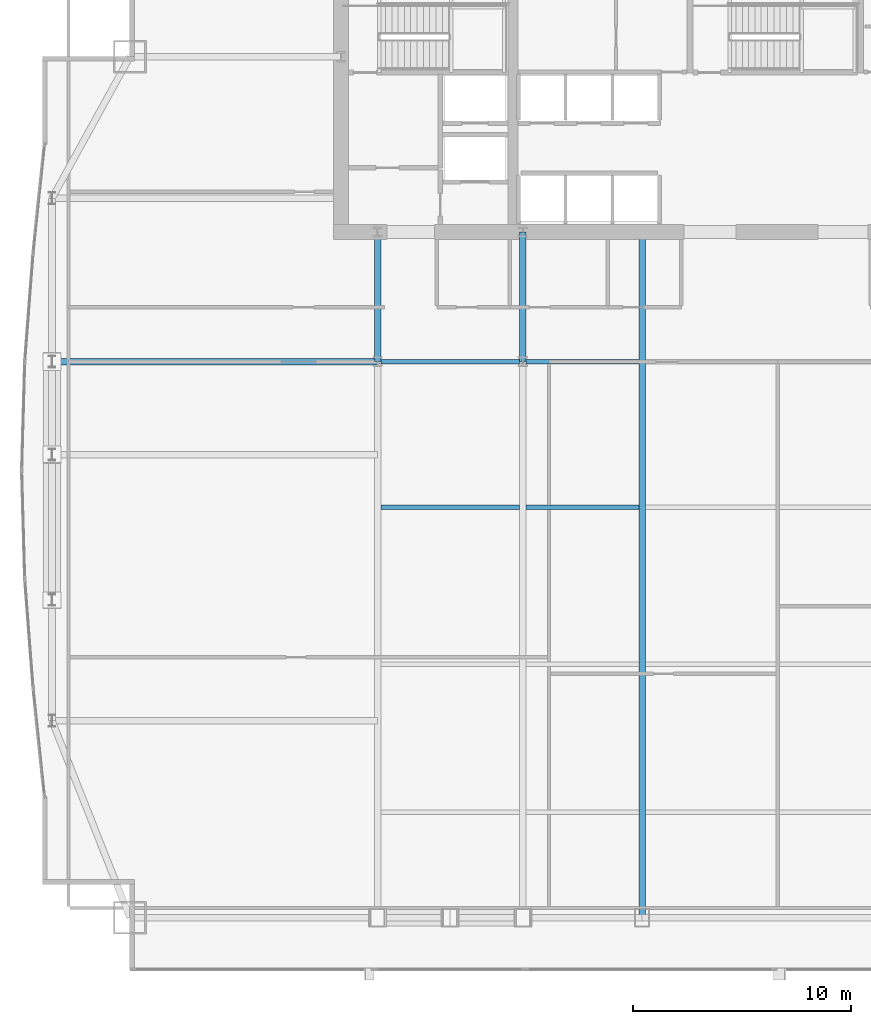
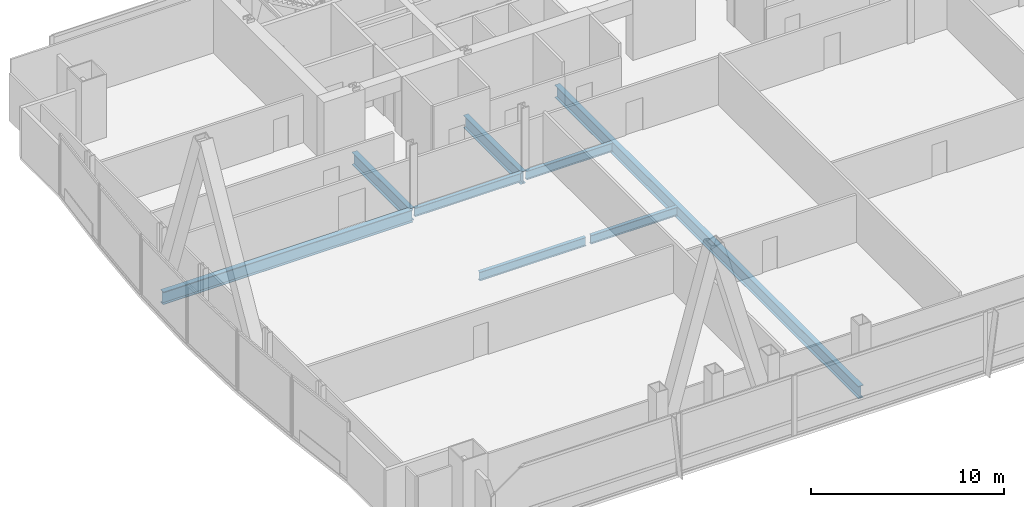
# One storey, part 13 of 32: 8 beams.
"""IFC4 building model written with IfcOpenShell, lengths in metres."""

from ifc_helpers import new_model, si_unit, direction, frame, origin, origin_2d, place, context, subcontext, project, spatial, i_section, extrude, material, material_profile, profile_set, type_object, element, save


model = new_model("IFC4")

# Units and contexts
model_context = context("Model", 3, precision=1e-05, world=origin(), true_north=direction((0.0, 1.0)))
body_context = subcontext(model_context, "Body", "Model", "MODEL_VIEW")
ifc_project = project(units=[si_unit("LENGTHUNIT", "METRE"), si_unit("AREAUNIT", "SQUARE_METRE"), si_unit("VOLUMEUNIT", "CUBIC_METRE"), si_unit("PLANEANGLEUNIT", "RADIAN"), si_unit("MASSUNIT", "GRAM", prefix="KILO")], contexts=[model_context])

# Site, building, storey
site_placement = place(None, origin())
site = spatial("IfcSite", under=ifc_project, at=site_placement, CompositionType="ELEMENT")
building_placement = place(site_placement, origin())
building = spatial("IfcBuilding", under=site, at=building_placement, Name="Khoronbel Lancet Exchange", CompositionType="ELEMENT")
storey_placement = place(building_placement, frame((0.0, 0.0, 94.60009765625)))
storey = spatial("IfcBuildingStorey", under=building, at=storey_placement, Name="L22", CompositionType="ELEMENT", Elevation=94.60009765625)

# Beams
ifc_material = material(Name="Steel S355", Category="steel")
ifc_material_profile_1 = material_profile(ifc_material, i_section(OverallWidth=0.300048828125, OverallDepth=0.800048828125, WebThickness=0.017578125, FlangeThickness=0.032958984375, at=origin_2d()), Name="HEB 800")
ifc_profile_set_1 = profile_set([ifc_material_profile_1], Name="Steel S355")
beam_type_1 = type_object("IfcBeamType", Name="BM-BG2", PredefinedType="BEAM", material=ifc_profile_set_1)
for number, where, z_axis, x_axis, name in (
    (1, (18.22509765625, 35.699951171875, -0.580078125), (0.0, 1.0, 0.0), (-1.0, 0.0, 0.0), "Level L22 spine tie girder GN1"),
    (2, (24.89990234375, 35.699951171875, -0.580078125), (0.0, 1.0, 0.0), (-1.0, 0.0, 0.0), "Level L22 spine tie girder GN2"),
):
    element("IfcBeam", number, at=place(storey_placement, frame(where, z_axis=z_axis, x_axis=x_axis)), inside=storey, type_object=beam_type_1, Name=name, PredefinedType="BEAM", context=body_context, shape_type="SweptSolid", body=[
        extrude(i_section(OverallWidth=0.300048828125, OverallDepth=0.800048828125, WebThickness=0.017578125, FlangeThickness=0.032958984375, at=origin_2d()), origin(), (0.0, 0.0, 1.0), 5.949951171875),
    ])
beam_1_placement = place(storey_placement, frame((30.375, 10.14990234375, -0.580078125), z_axis=(0.0, 1.0, 0.0), x_axis=(-1.0, 0.0, 0.0)))
element("IfcBeam", 3, at=beam_1_placement, inside=storey, type_object=beam_type_1, Name="Level L22 primary floor girder G3", PredefinedType="BEAM", context=body_context, shape_type="SweptSolid", body=[
    extrude(i_section(OverallWidth=0.300048828125, OverallDepth=0.800048828125, WebThickness=0.017578125, FlangeThickness=0.032958984375, at=origin_2d()), origin(), (0.0, 0.0, 1.0), 31.5),
])
beam_2_placement = place(storey_placement, frame((3.27001953125, 35.699951171875, -0.580078125), z_axis=(1.0, 0.0, 0.0), x_axis=(0.0, 1.0, 0.0)))
element("IfcBeam", 4, at=beam_2_placement, inside=storey, type_object=beam_type_1, Name="Level L22 west lens tie girder LG4W", PredefinedType="BEAM", context=body_context, shape_type="SweptSolid", body=[
    extrude(i_section(OverallWidth=0.300048828125, OverallDepth=0.800048828125, WebThickness=0.017578125, FlangeThickness=0.032958984375, at=origin_2d()), origin(), (0.0, 0.0, 1.0), 14.955078125),
])
ifc_material_profile_2 = material_profile(ifc_material, i_section(OverallWidth=0.2099609375, OverallDepth=0.550048828125, WebThickness=0.010986328125, FlangeThickness=0.01708984375, at=origin_2d()), Name="IPE 550")
ifc_profile_set_2 = profile_set([ifc_material_profile_2], Name="Steel S355")
beam_type_2 = type_object("IfcBeamType", Name="BM-BJ2", PredefinedType="JOIST", material=ifc_profile_set_2)
beam_3_placement = place(storey_placement, frame((18.375, 29.0, -0.455078125), z_axis=(1.0, 0.0, 0.0), x_axis=(0.0, 1.0, 0.0)))
element("IfcBeam", 5, at=beam_3_placement, inside=storey, type_object=beam_type_2, Name="Level L22 secondary composite joist J11", PredefinedType="JOIST", context=body_context, shape_type="SweptSolid", body=[
    extrude(i_section(OverallWidth=0.2099609375, OverallDepth=0.550048828125, WebThickness=0.010986328125, FlangeThickness=0.01708984375, at=origin_2d()), origin(), (0.0, 0.0, 1.0), 6.375),
])
beam_4_placement = place(storey_placement, frame((25.050048828125, 29.0, -0.455078125), z_axis=(1.0, 0.0, 0.0), x_axis=(0.0, 1.0, 0.0)))
element("IfcBeam", 6, at=beam_4_placement, inside=storey, type_object=beam_type_2, Name="Level L22 secondary composite joist J12", PredefinedType="JOIST", context=body_context, shape_type="SweptSolid", body=[
    extrude(i_section(OverallWidth=0.2099609375, OverallDepth=0.550048828125, WebThickness=0.010986328125, FlangeThickness=0.01708984375, at=origin_2d()), origin(), (0.0, 0.0, 1.0), 5.175048828125),
])
beam_5_placement = place(storey_placement, frame((18.375, 35.699951171875, -0.455078125), z_axis=(1.0, 0.0, 0.0), x_axis=(0.0, 1.0, 0.0)))
element("IfcBeam", 7, at=beam_5_placement, inside=storey, type_object=beam_type_2, Name="Level L22 secondary composite joist J16", PredefinedType="JOIST", context=body_context, shape_type="SweptSolid", body=[
    extrude(i_section(OverallWidth=0.2099609375, OverallDepth=0.550048828125, WebThickness=0.010986328125, FlangeThickness=0.01708984375, at=origin_2d()), origin(), (0.0, 0.0, 1.0), 6.375),
])
beam_6_placement = place(storey_placement, frame((25.050048828125, 35.699951171875, -0.455078125), z_axis=(1.0, 0.0, 0.0), x_axis=(0.0, 1.0, 0.0)))
element("IfcBeam", 8, at=beam_6_placement, inside=storey, type_object=beam_type_2, Name="Level L22 secondary composite joist J17", PredefinedType="JOIST", context=body_context, shape_type="SweptSolid", body=[
    extrude(i_section(OverallWidth=0.2099609375, OverallDepth=0.550048828125, WebThickness=0.010986328125, FlangeThickness=0.01708984375, at=origin_2d()), origin(), (0.0, 0.0, 1.0), 5.175048828125),
])

save(model, "model.ifc")
